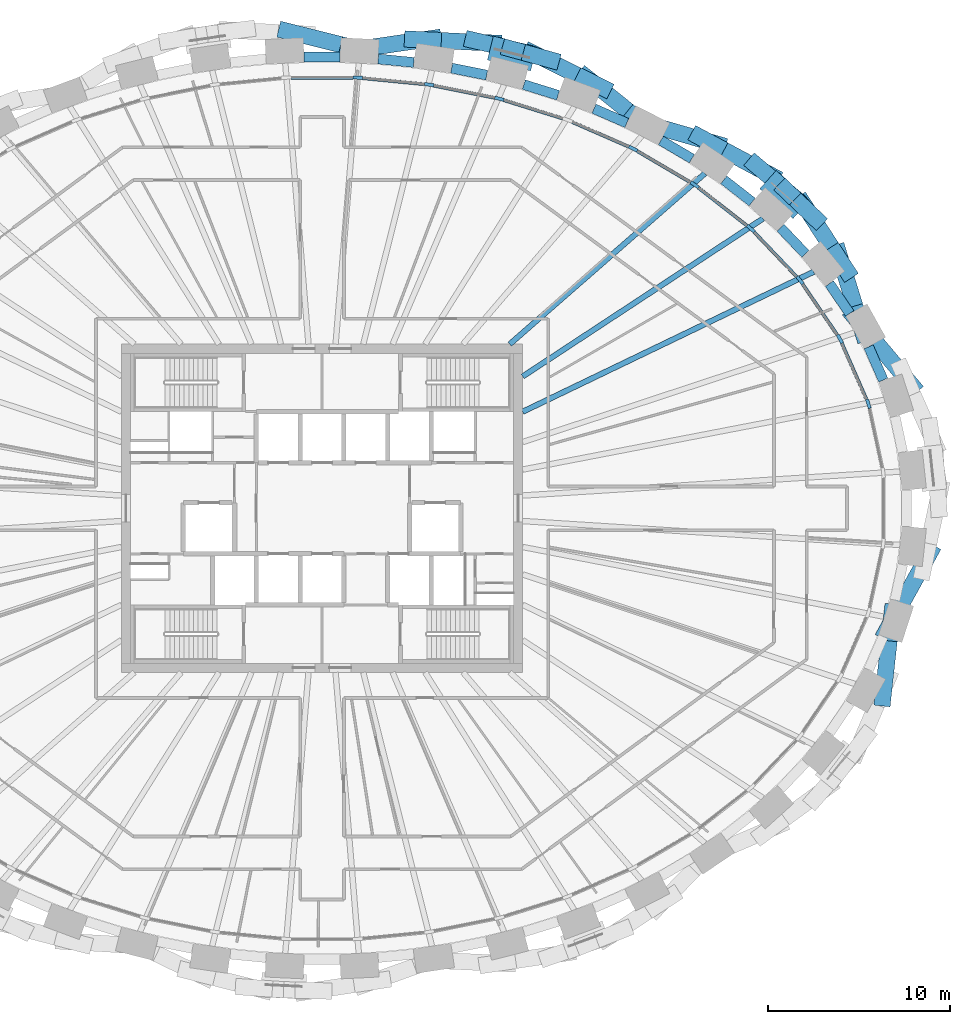
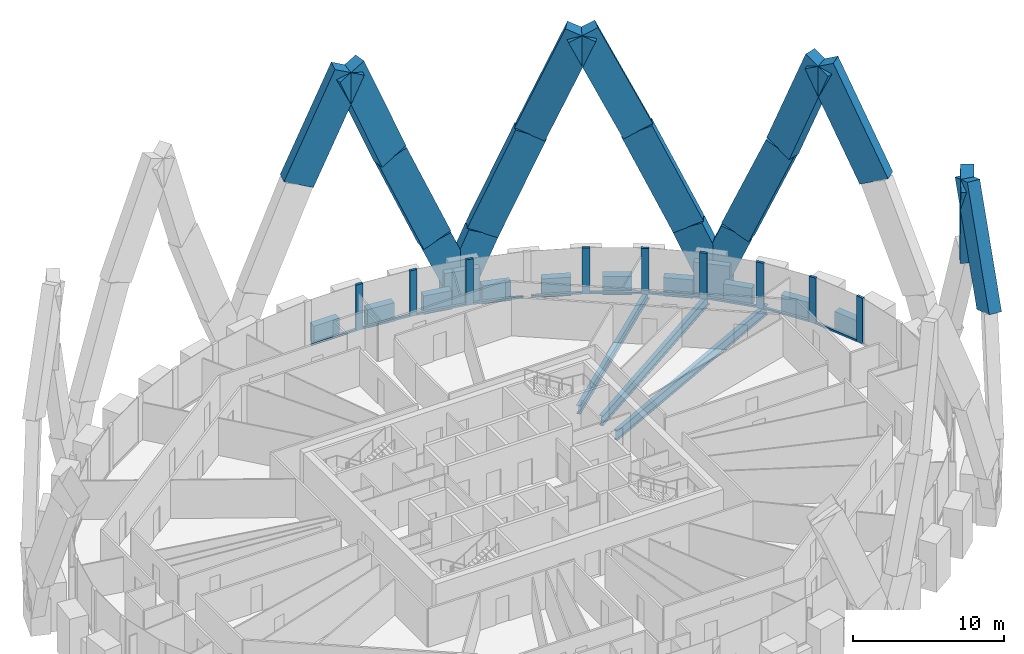
# One storey, part 5 of 15: 37 members, 13 beams, 1 element without a shape of its own.
"""IFC4 building model written with IfcOpenShell, lengths in metres."""

import ifcopenshell
import ifcopenshell.guid

model = None  # the IFC model being written
_history = None  # IfcOwnerHistory: only IFC2X3 demands one
_inside = {}  # id of a spatial element -> (the spatial element, [elements in it])
_under = {}  # id of a project, library or spatial element -> (it, [spatial elements below it])
_declared = {}  # id of a project -> (the project, [libraries it declares])
_typed = {}  # id of a type object -> (the type object, [elements of that type])
_made_of = {}  # id of a material, layer set ... -> (it, [elements and type objects made of it])


def new_model(schema):
    """Start an empty IFC model of exactly this schema.

    Asked for "IFC4X3", IfcOpenShell would pick the latest addendum, in which some entities
    have other attributes; the version numbers below select the first issue.
    IFC2X3 requires an IfcOwnerHistory on every rooted entity: one is made here for all.
    """
    global model, _history
    if schema == "IFC4X3":
        model = ifcopenshell.file(schema_version=(4, 3, 0, 0))
    else:
        model = ifcopenshell.file(schema=schema)
    _inside.clear()
    _under.clear()
    _declared.clear()
    _typed.clear()
    _made_of.clear()
    _history = None
    if model.schema == "IFC2X3":
        org = make("IfcOrganization", Name="unknown")
        user = make(
            "IfcPersonAndOrganization",
            ThePerson=make("IfcPerson", FamilyName="unknown"),
            TheOrganization=org,
        )
        app = make(
            "IfcApplication",
            ApplicationDeveloper=org,
            Version="unknown",
            ApplicationFullName="unknown",
            ApplicationIdentifier="unknown",
        )
        _history = make(
            "IfcOwnerHistory",
            OwningUser=user,
            OwningApplication=app,
            ChangeAction="ADDED",
            CreationDate=0,
        )
    return model


def make(cls, **values):
    """One entity of the class cls with the attributes given. An attribute that is None is left unset."""
    return model.create_entity(
        cls, **{name: value for name, value in values.items() if value is not None}
    )


def rooted(cls, **values):
    """An entity with a GlobalId (a new one), such as an element, a storey or a relation."""
    return make(cls, GlobalId=ifcopenshell.guid.new(), OwnerHistory=_history, **values)


def si_unit(unit_type, name, prefix=None):
    """IfcSIUnit, for example si_unit("LENGTHUNIT", "METRE", prefix="MILLI")."""
    return make("IfcSIUnit", UnitType=unit_type, Prefix=prefix, Name=name)


def assignment(units):
    """IfcUnitAssignment: the units of a project."""
    return None if units is None else make("IfcUnitAssignment", Units=units)


def point(xyz):
    """IfcCartesianPoint."""
    return None if xyz is None else make("IfcCartesianPoint", Coordinates=xyz)


def direction(xyz):
    """IfcDirection."""
    return None if xyz is None else make("IfcDirection", DirectionRatios=xyz)


def frame(location, z_axis=None, x_axis=None):
    """IfcAxis2Placement3D, a coordinate frame: its origin and axes. An axis left out is left unset."""
    return make(
        "IfcAxis2Placement3D",
        Location=point(location),
        Axis=direction(z_axis),
        RefDirection=direction(x_axis),
    )


def frame_2d(location, x_axis=None):
    """IfcAxis2Placement2D, a coordinate frame in the plane: its origin and x axis."""
    return make(
        "IfcAxis2Placement2D", Location=point(location), RefDirection=direction(x_axis)
    )


def origin():
    """The frame at (0, 0, 0) with its axes left unset."""
    return frame((0.0, 0.0, 0.0))


def origin_2d():
    """The frame at (0, 0) in the plane with its x axis left unset."""
    return frame_2d((0.0, 0.0))


def place(relative_to, where):
    """IfcLocalPlacement: puts the frame where relative to a parent placement (None: the world)."""
    return make(
        "IfcLocalPlacement", PlacementRelTo=relative_to, RelativePlacement=where
    )


def context(
    kind, dimensions, precision=None, world=None, true_north=None, identifier=None
):
    """IfcGeometricRepresentationContext, for example the 3D "Model" context."""
    return make(
        "IfcGeometricRepresentationContext",
        ContextIdentifier=identifier,
        ContextType=kind,
        CoordinateSpaceDimension=dimensions,
        Precision=precision,
        WorldCoordinateSystem=world,
        TrueNorth=true_north,
    )


def subcontext(parent, identifier, kind, view, scale=None):
    """IfcGeometricRepresentationSubContext, for example "Body" below "Model"."""
    return make(
        "IfcGeometricRepresentationSubContext",
        ContextIdentifier=identifier,
        ContextType=kind,
        ParentContext=parent,
        TargetScale=scale,
        TargetView=view,
    )


def project(units=None, contexts=None):
    """IfcProject with its units and contexts."""
    return rooted(
        "IfcProject",
        Name="project",
        RepresentationContexts=contexts,
        UnitsInContext=assignment(units),
    )


def spatial(cls, under=None, at=None, **own):
    """A site, building, storey or space (cls), placed at a placement, below another one or the project."""
    s = rooted(cls, ObjectPlacement=at, **own)
    if under is not None:
        _under.setdefault(under.id(), (under, []))[1].append(s)
    return s


def profile(cls, at=None, kind="AREA", **sizes):
    """A parametric profile (cls). Its sizes go by their IFC names, for example OverallWidth=200.0."""
    return make(cls, ProfileType=kind, Position=at, **sizes)


def rectangle(**sizes):
    """IfcRectangleProfileDef."""
    return profile("IfcRectangleProfileDef", **sizes)


def i_section(**sizes):
    """IfcIShapeProfileDef."""
    return profile("IfcIShapeProfileDef", **sizes)


def extrude(swept, where, along, depth):
    """IfcExtrudedAreaSolid: the profile swept, set in the frame where, extruded along a direction by depth."""
    return make(
        "IfcExtrudedAreaSolid",
        SweptArea=swept,
        Position=where,
        ExtrudedDirection=direction(along),
        Depth=depth,
    )


def shape(context_of_items, identifier, shape_type, items):
    """IfcShapeRepresentation: the items that make up one representation, for example the "Body"."""
    return make(
        "IfcShapeRepresentation",
        ContextOfItems=context_of_items,
        RepresentationIdentifier=identifier,
        RepresentationType=shape_type,
        Items=items,
    )


def source(mapping_origin, context_of_items, identifier, shape_type, items):
    """IfcRepresentationMap: a shape defined once, which mapped items show again and again."""
    return make(
        "IfcRepresentationMap",
        MappingOrigin=mapping_origin,
        MappedRepresentation=shape(context_of_items, identifier, shape_type, items),
    )


def transform(
    local_origin,
    x_axis=None,
    y_axis=None,
    z_axis=None,
    scale=None,
    scale2=None,
    scale3=None,
    uniform=True,
):
    """IfcCartesianTransformationOperator3D, or its non-uniform kind. x_axis, y_axis, z_axis: its Axis1, 2, 3."""
    if uniform:
        return make(
            "IfcCartesianTransformationOperator3D",
            Axis1=direction(x_axis),
            Axis2=direction(y_axis),
            LocalOrigin=point(local_origin),
            Scale=scale,
            Axis3=direction(z_axis),
        )
    return make(
        "IfcCartesianTransformationOperator3DnonUniform",
        Axis1=direction(x_axis),
        Axis2=direction(y_axis),
        LocalOrigin=point(local_origin),
        Scale=scale,
        Axis3=direction(z_axis),
        Scale2=scale2,
        Scale3=scale3,
    )


def mapped(mapping_source, mapping_target):
    """IfcMappedItem: shows the shape of a source again, moved by a transform."""
    return make(
        "IfcMappedItem", MappingSource=mapping_source, MappingTarget=mapping_target
    )


def material(Name=None, Category=None):
    """IfcMaterial."""
    return make("IfcMaterial", Name=Name, Category=Category)


def material_profile(
    of_material, cross_section, Name=None, Category=None, Priority=None
):
    """IfcMaterialProfile: a cross section and its material."""
    return make(
        "IfcMaterialProfile",
        Name=Name,
        Material=of_material,
        Profile=cross_section,
        Priority=Priority,
        Category=Category,
    )


def profile_set(profiles, Name=None, composite=None):
    """IfcMaterialProfileSet."""
    return make(
        "IfcMaterialProfileSet",
        Name=Name,
        MaterialProfiles=profiles,
        CompositeProfile=composite,
    )


def made_of(thing, what):
    """Note that an element or type object is made of a material, layer set ...; save() writes the relation."""
    if what is not None:
        _made_of.setdefault(what.id(), (what, []))[1].append(thing)
    return thing


def type_object(cls, material=None, **own):
    """A type object (cls), such as IfcWallType, which elements share."""
    return made_of(rooted(cls, **own), material)


def element(
    cls,
    number,
    at=None,
    inside=None,
    cuts=None,
    type_object=None,
    material=None,
    context=None,
    identifier="Body",
    shape_type=None,
    held_by="IfcProductDefinitionShape",
    body=None,
    shapes=None,
    **own,
):
    """One element of the class cls, such as IfcWall. Its Tag is "e" and its number.

    at: its placement. inside: the storey or other place that contains it. cuts: it is an
    opening in that element (IfcRelVoidsElement). A single representation is given by context,
    identifier, shape_type and body (its items); several are given by shapes. held_by: the class
    of the entity that holds the representations. save() writes the other relations.
    """
    e = rooted(cls, Tag="e%d" % number, ObjectPlacement=at, **own)
    if body is not None:
        shapes = [shape(context, identifier, shape_type, body)]
    if shapes is not None:
        e.Representation = make(held_by, Representations=shapes)
    if inside is not None:
        _inside.setdefault(inside.id(), (inside, []))[1].append(e)
    if cuts is not None:
        rooted(
            "IfcRelVoidsElement", RelatingBuildingElement=cuts, RelatedOpeningElement=e
        )
    if type_object is not None:
        _typed.setdefault(type_object.id(), (type_object, []))[1].append(e)
    return made_of(e, material)


def aggregate(whole, parts):
    """IfcRelAggregates: a whole, such as a stair, and the parts it consists of."""
    return rooted("IfcRelAggregates", RelatingObject=whole, RelatedObjects=parts)


def save(model, path):
    """Write the relations noted so far, then the file.

    IfcRelAggregates (storeys below a building ...), IfcRelContainedInSpatialStructure (elements
    in a storey), IfcRelDefinesByType, IfcRelAssociatesMaterial and IfcRelDeclares: one each for
    every whole, place, type object, material and project.
    """
    for whole, parts in _under.values():
        aggregate(whole, parts)
    for where, things in _inside.values():
        rooted(
            "IfcRelContainedInSpatialStructure",
            RelatedElements=things,
            RelatingStructure=where,
        )
    for kind, things in _typed.values():
        rooted("IfcRelDefinesByType", RelatedObjects=things, RelatingType=kind)
    for what, things in _made_of.values():
        rooted("IfcRelAssociatesMaterial", RelatedObjects=things, RelatingMaterial=what)
    for by, libraries in _declared.values():
        rooted("IfcRelDeclares", RelatingContext=by, RelatedDefinitions=libraries)
    model.write(path)


model = new_model("IFC4")

# Units and contexts
model_context = context("Model", 3, precision=1e-05, world=origin(), true_north=direction((0.0, 1.0)))
body_context = subcontext(model_context, "Body", "Model", "MODEL_VIEW")
ifc_project = project(units=[si_unit("LENGTHUNIT", "METRE"), si_unit("AREAUNIT", "SQUARE_METRE"), si_unit("VOLUMEUNIT", "CUBIC_METRE"), si_unit("PLANEANGLEUNIT", "RADIAN"), si_unit("MASSUNIT", "GRAM", prefix="KILO")], contexts=[model_context])

# Site, building, storey
site_placement = place(None, origin())
site = spatial("IfcSite", under=ifc_project, at=site_placement, CompositionType="ELEMENT")
building_placement = place(site_placement, origin())
building = spatial("IfcBuilding", under=site, at=building_placement, Name="Embergate Tower", CompositionType="ELEMENT")
storey_placement = place(building_placement, frame((0.0, 0.0, 277.300048828125)))
storey = spatial("IfcBuildingStorey", under=building, at=storey_placement, Name="L64", CompositionType="ELEMENT", Elevation=277.300048828125)

# Beams
ifc_material_1 = material(Name="Concrete C60", Category="concrete")
ifc_material_profile_1 = material_profile(ifc_material_1, rectangle(XDim=0.550048828125, YDim=1.5, at=origin_2d()), Name="RC 550x1500")
ifc_profile_set_1 = profile_set([ifc_material_profile_1], Name="Concrete C60")
beam_type_1 = type_object("IfcBeamType", Name="Spandrel beam RC 550x1500 C60", PredefinedType="BEAM", material=ifc_profile_set_1)
shared_shape_1 = source(origin(), body_context, "Body", "SweptSolid", [
    extrude(rectangle(XDim=0.550048828125, YDim=1.5, at=origin_2d()), origin(), (0.0, 0.0, 1.0), 1.989990234375),
])
beam_1_placement = place(storey_placement, frame((30.777099609375, 7.032958984375, 0.0), z_axis=(-0.402047764255, 0.915618695341, 0.0), x_axis=(-0.915618695341, -0.402047764255, 0.0)))
element("IfcBeam", 1, at=beam_1_placement, inside=storey, type_object=beam_type_1, Name="SPN-L64-01", PredefinedType="BEAM", context=body_context, shape_type="MappedRepresentation", body=[
    mapped(shared_shape_1, transform((0.0, 0.0, 0.0))),
])
shared_shape_2 = source(origin(), body_context, "Body", "SweptSolid", [
    extrude(rectangle(XDim=0.550048828125, YDim=1.5, at=origin_2d()), origin(), (0.0, 0.0, 1.0), 1.982421875),
])
beam_2_placement = place(storey_placement, frame((28.943115234375, 10.68310546875, 0.0), z_axis=(-0.56257611142, 0.82674549824, 0.0), x_axis=(-0.82674549824, -0.56257611142, 0.0)))
element("IfcBeam", 2, at=beam_2_placement, inside=storey, type_object=beam_type_1, Name="SPN-L64-02", PredefinedType="BEAM", context=body_context, shape_type="MappedRepresentation", body=[
    mapped(shared_shape_2, transform((0.0, 0.0, 0.0))),
])
shared_shape_3 = source(origin(), body_context, "Body", "SweptSolid", [
    extrude(rectangle(XDim=0.550048828125, YDim=1.5, at=origin_2d()), origin(), (0.0, 0.0, 1.0), 1.97900390625),
])
beam_3_placement = place(storey_placement, frame((26.509033203125, 13.9560546875, 0.0), z_axis=(-0.690255649164, 0.723565573253, 0.0), x_axis=(-0.723565573253, -0.690255649164, 0.0)))
element("IfcBeam", 3, at=beam_3_placement, inside=storey, type_object=beam_type_1, Name="SPN-L64-03", PredefinedType="BEAM", context=body_context, shape_type="MappedRepresentation", body=[
    mapped(shared_shape_3, transform((0.0, 0.0, 0.0))),
])
shared_shape_4 = source(origin(), body_context, "Body", "SweptSolid", [
    extrude(rectangle(XDim=0.550048828125, YDim=1.5, at=origin_2d()), origin(), (0.0, 0.0, 1.0), 1.974853515625),
])
beam_4_placement = place(storey_placement, frame((23.5869140625, 16.797119140625, 0.0), z_axis=(-0.788385979859, 0.61518090572, 0.0), x_axis=(-0.61518090572, -0.788385979859, 0.0)))
element("IfcBeam", 4, at=beam_4_placement, inside=storey, type_object=beam_type_1, Name="SPN-L64-04", PredefinedType="BEAM", context=body_context, shape_type="MappedRepresentation", body=[
    mapped(shared_shape_4, transform((0.0, 0.0, 0.0))),
])
shared_shape_5 = source(origin(), body_context, "Body", "SweptSolid", [
    extrude(rectangle(XDim=0.550048828125, YDim=1.5, at=origin_2d()), origin(), (0.0, 0.0, 1.0), 1.969482421875),
])
beam_5_placement = place(storey_placement, frame((20.281982421875, 19.176025390625, 0.0), z_axis=(-0.862106236571, 0.506727576578, 0.0), x_axis=(-0.506727576578, -0.862106236571, 0.0)))
element("IfcBeam", 5, at=beam_5_placement, inside=storey, type_object=beam_type_1, Name="SPN-L64-05", PredefinedType="BEAM", context=body_context, shape_type="MappedRepresentation", body=[
    mapped(shared_shape_5, transform((0.0, 0.0, 0.0))),
])
shared_shape_6 = source(origin(), body_context, "Body", "SweptSolid", [
    extrude(rectangle(XDim=0.550048828125, YDim=1.5, at=origin_2d()), origin(), (0.0, 0.0, 1.0), 1.96630859375),
])
beam_6_placement = place(storey_placement, frame((16.714111328125, 21.12890625, 0.0), z_axis=(-0.916393681964, 0.400278177842, 0.0), x_axis=(-0.400278177842, -0.916393681964, 0.0)))
element("IfcBeam", 6, at=beam_6_placement, inside=storey, type_object=beam_type_1, Name="SPN-L64-06", PredefinedType="BEAM", context=body_context, shape_type="MappedRepresentation", body=[
    mapped(shared_shape_6, transform((0.0, 0.0, 0.0))),
])
shared_shape_7 = source(origin(), body_context, "Body", "SweptSolid", [
    extrude(rectangle(XDim=0.550048828125, YDim=1.5, at=origin_2d()), origin(), (0.0, 0.0, 1.0), 1.96484375),
])
beam_7_placement = place(storey_placement, frame((12.945068359375, 22.65087890625, 0.0), z_axis=(-0.954771364399, 0.297340951979, 0.0), x_axis=(-0.297340951979, -0.954771364399, 0.0)))
element("IfcBeam", 7, at=beam_7_placement, inside=storey, type_object=beam_type_1, Name="SPN-L64-07", PredefinedType="BEAM", context=body_context, shape_type="MappedRepresentation", body=[
    mapped(shared_shape_7, transform((0.0, 0.0, 0.0))),
])
shared_shape_8 = source(origin(), body_context, "Body", "SweptSolid", [
    extrude(rectangle(XDim=0.550048828125, YDim=1.5, at=origin_2d()), origin(), (0.0, 0.0, 1.0), 1.963134765625),
])
beam_8_placement = place(storey_placement, frame((9.033935546875, 23.7548828125, 0.0), z_axis=(-0.980580675691, 0.196116135138, 0.0), x_axis=(-0.196116135138, -0.980580675691, 0.0)))
element("IfcBeam", 8, at=beam_8_placement, inside=storey, type_object=beam_type_1, Name="SPN-L64-08", PredefinedType="BEAM", context=body_context, shape_type="MappedRepresentation", body=[
    mapped(shared_shape_8, transform((0.0, 0.0, 0.0))),
])
shared_shape_9 = source(origin(), body_context, "Body", "SweptSolid", [
    extrude(rectangle(XDim=0.550048828125, YDim=1.5, at=origin_2d()), origin(), (0.0, 0.0, 1.0), 1.96240234375),
])
beam_9_placement = place(storey_placement, frame((5.031982421875, 24.449951171875, 0.0), z_axis=(-0.99519482752, 0.097914530474, 0.0), x_axis=(-0.097914530474, -0.99519482752, 0.0)))
element("IfcBeam", 9, at=beam_9_placement, inside=storey, type_object=beam_type_1, Name="SPN-L64-09", PredefinedType="BEAM", context=body_context, shape_type="MappedRepresentation", body=[
    mapped(shared_shape_9, transform((0.0, 0.0, 0.0))),
])
shared_shape_10 = source(origin(), body_context, "Body", "SweptSolid", [
    extrude(rectangle(XDim=0.550048828125, YDim=1.5, at=origin_2d()), origin(), (0.0, 0.0, 1.0), 1.9619140625),
])
beam_10_placement = place(storey_placement, frame((0.98095703125, 24.7451171875, 0.0), z_axis=(-1.0, 0.0, 0.0), x_axis=(0.0, -1.0, 0.0)))
element("IfcBeam", 10, at=beam_10_placement, inside=storey, type_object=beam_type_1, Name="SPN-L64-10", PredefinedType="BEAM", context=body_context, shape_type="MappedRepresentation", body=[
    mapped(shared_shape_10, transform((0.0, 0.0, 0.0))),
])
ifc_material_2 = material(Name="Steel Q355B", Category="steel")
ifc_material_profile_2 = material_profile(ifc_material_2, i_section(OverallWidth=0.300048828125, OverallDepth=0.800048828125, WebThickness=0.013916015625, FlangeThickness=0.02587890625, FilletRadius=0.028076171875, at=origin_2d()), Name="HN 800x300x14x26")
ifc_profile_set_2 = profile_set([ifc_material_profile_2], Name="Steel Q355 grade B")
beam_type_2 = type_object("IfcBeamType", Name="Radial girder HN 800x300x14x26", PredefinedType="BEAM", material=ifc_profile_set_2)
shared_shape_11 = source(origin(), body_context, "Body", "SweptSolid", [
    extrude(i_section(OverallWidth=0.300048828125, OverallDepth=0.800048828125, WebThickness=0.013916015625, FlangeThickness=0.02587890625, FilletRadius=0.028076171875, at=origin_2d()), origin(), (0.0, 0.0, 1.0), 17.70947265625),
])
beam_11_placement = place(storey_placement, frame((26.958984375, 12.968994140625, -0.60009765625), z_axis=(-0.901155084862, -0.433496843157, 0.0), x_axis=(0.433496843157, -0.901155084862, 0.0)))
element("IfcBeam", 11, at=beam_11_placement, inside=storey, type_object=beam_type_2, Name="GIR-L64-03", PredefinedType="BEAM", context=body_context, shape_type="MappedRepresentation", body=[
    mapped(shared_shape_11, transform((0.0, 0.0, 0.0))),
])
shared_shape_12 = source(origin(), body_context, "Body", "SweptSolid", [
    extrude(i_section(OverallWidth=0.300048828125, OverallDepth=0.800048828125, WebThickness=0.013916015625, FlangeThickness=0.02587890625, FilletRadius=0.028076171875, at=origin_2d()), origin(), (0.0, 0.0, 1.0), 15.767578125),
])
beam_12_placement = place(storey_placement, frame((24.177978515625, 15.885009765625, -0.60009765625), z_axis=(-0.835759482959, -0.549095698986, 0.0), x_axis=(0.549095698986, -0.835759482959, 0.0)))
element("IfcBeam", 12, at=beam_12_placement, inside=storey, type_object=beam_type_2, Name="GIR-L64-04", PredefinedType="BEAM", context=body_context, shape_type="MappedRepresentation", body=[
    mapped(shared_shape_12, transform((0.0, 0.0, 0.0))),
])
ifc_material_profile_3 = material_profile(ifc_material_2, i_section(OverallWidth=0.300048828125, OverallDepth=0.699951171875, WebThickness=0.012939453125, FlangeThickness=0.02392578125, FilletRadius=0.01806640625, at=origin_2d()), Name="HN 700x300x13x24")
ifc_profile_set_3 = profile_set([ifc_material_profile_3], Name="Steel Q355 grade B")
beam_type_3 = type_object("IfcBeamType", Name="Radial girder HN 700x300x13x24", PredefinedType="BEAM", material=ifc_profile_set_3)
shared_shape_13 = source(origin(), body_context, "Body", "SweptSolid", [
    extrude(i_section(OverallWidth=0.300048828125, OverallDepth=0.699951171875, WebThickness=0.012939453125, FlangeThickness=0.02392578125, FilletRadius=0.01806640625, at=origin_2d()), origin(), (0.0, 0.0, 1.0), 14.226318359375),
])
beam_13_placement = place(storey_placement, frame((21.0009765625, 18.364990234375, -0.550048828125), z_axis=(-0.752763768185, -0.658290748308, 0.0), x_axis=(0.658290748308, -0.752763768185, 0.0)))
element("IfcBeam", 13, at=beam_13_placement, inside=storey, type_object=beam_type_3, Name="GIR-L64-05", PredefinedType="BEAM", context=body_context, shape_type="MappedRepresentation", body=[
    mapped(shared_shape_13, transform((0.0, 0.0, 0.0))),
])

# Members
ifc_material_3 = material(Name="Concrete C70", Category="concrete")
ifc_material_profile_4 = material_profile(ifc_material_3, rectangle(XDim=1.35009765625, YDim=2.449951171875, at=origin_2d()), Name="RC 1350x2450")
ifc_profile_set_4 = profile_set([ifc_material_profile_4], Name="Concrete C70")
member_type_1 = type_object("IfcMemberType", Name="Lattice node block RC 1350x2450", PredefinedType="POST", material=ifc_profile_set_4)
shared_shape_14 = source(origin(), body_context, "Body", "SweptSolid", [
    extrude(rectangle(XDim=1.35009765625, YDim=2.449951171875, at=origin_2d()), origin(), (0.0, 0.0, 1.0), 2.85009765625),
])
for number, where, z_axis, x_axis, name in (
    (14, (25.365966796875, 17.2041015625, -1.425048828125), (0.0, 0.0, 1.0), (0.669208424634, 0.74307475021, 0.0), "NOD-L64-04"),
    (15, (10.419921875, 24.943115234375, -1.425048828125), (0.0, 0.0, 1.0), (0.246491603437, 0.969144926951, 0.0), "NOD-L64-08"),
):
    element("IfcMember", number, at=place(storey_placement, frame(where, z_axis=z_axis, x_axis=x_axis)), inside=storey, type_object=member_type_1, Name=name, PredefinedType="POST", context=body_context, shape_type="MappedRepresentation", body=[
        mapped(shared_shape_14, transform((0.0, 0.0, 0.0))),
    ])
ifc_material_profile_5 = material_profile(ifc_material_3, rectangle(XDim=0.89990234375, YDim=2.199951171875, at=origin_2d()), Name="RC 900x2200")
ifc_profile_set_5 = profile_set([ifc_material_profile_5], Name="Concrete C70")
member_type_2 = type_object("IfcMemberType", Name="Lattice diagonal terracotta-faced RC 900x2200", PredefinedType="BRACE", material=ifc_profile_set_5)
shared_shape_15 = source(origin(), body_context, "Body", "SweptSolid", [
    extrude(rectangle(XDim=0.89990234375, YDim=2.199951171875, at=origin_2d()), origin(), (0.0, 0.0, 1.0), 9.24462890625),
])
member_1_placement = place(storey_placement, frame((31.99609375, 7.160888671875, 11.699951171875), z_axis=(-0.267838406866, 0.320418397802, 0.908622384799), x_axis=(-0.767251114919, -0.64134680685, 0.0)))
element("IfcMember", 16, at=member_1_placement, inside=storey, type_object=member_type_2, Name="BRC-L64-00-02-S02", PredefinedType="BRACE", context=body_context, shape_type="MappedRepresentation", body=[
    mapped(shared_shape_15, transform((0.0, 0.0, 0.0))),
])
shared_shape_16 = source(origin(), body_context, "Body", "SweptSolid", [
    extrude(rectangle(XDim=0.89990234375, YDim=2.199951171875, at=origin_2d()), origin(), (0.0, 0.0, 1.0), 9.23193359375),
])
member_2_placement = place(storey_placement, frame((33.06494140625, -2.916015625, 11.699951171875), z_axis=(-0.200930385963, -0.362986375062, 0.909872447938), x_axis=(0.874901889166, -0.484300200633, 0.0)))
element("IfcMember", 17, at=member_2_placement, inside=storey, type_object=member_type_2, Name="BRC-L64-00-42-S02", PredefinedType="BRACE", context=body_context, shape_type="MappedRepresentation", body=[
    mapped(shared_shape_16, transform((0.0, 0.0, 0.0))),
])
shared_shape_17 = source(origin(), body_context, "Body", "SweptSolid", [
    extrude(rectangle(XDim=0.89990234375, YDim=2.199951171875, at=origin_2d()), origin(), (0.0, 0.0, 1.0), 4.22119140625),
])
member_3_placement = place(storey_placement, frame((25.51611328125, 17.3720703125, 0.0), z_axis=(0.276689289108, -0.264370138067, 0.923878491682), x_axis=(0.690827926721, 0.723019208364, 0.0)))
element("IfcMember", 18, at=member_3_placement, inside=storey, type_object=member_type_2, Name="BRC-L64-04-02-S00", PredefinedType="BRACE", context=body_context, shape_type="MappedRepresentation", body=[
    mapped(shared_shape_17, transform((0.0, 0.0, 0.0))),
])
shared_shape_18 = source(origin(), body_context, "Body", "SweptSolid", [
    extrude(rectangle(XDim=0.89990234375, YDim=2.199951171875, at=origin_2d()), origin(), (0.0, 0.0, 1.0), 8.471923828125),
])
member_4_placement = place(storey_placement, frame((26.68408203125, 16.256103515625, 3.89990234375), z_axis=(0.212585219925, -0.32733570735, 0.920683908279), x_axis=(0.838657781128, 0.544658724481, 0.0)))
element("IfcMember", 19, at=member_4_placement, inside=storey, type_object=member_type_2, Name="BRC-L64-04-02-S01", PredefinedType="BRACE", context=body_context, shape_type="MappedRepresentation", body=[
    mapped(shared_shape_18, transform((0.0, 0.0, 0.0))),
])
shared_shape_19 = source(origin(), body_context, "Body", "SweptSolid", [
    extrude(rectangle(XDim=0.89990234375, YDim=2.199951171875, at=origin_2d()), origin(), (0.0, 0.0, 1.0), 9.10595703125),
])
member_5_placement = place(storey_placement, frame((28.485107421875, 13.48291015625, 11.699951171875), z_axis=(0.113652459937, -0.36897503035, 0.922464387024), x_axis=(0.955690377146, 0.294373747182, 0.0)))
element("IfcMember", 20, at=member_5_placement, inside=storey, type_object=member_type_2, Name="BRC-L64-04-02-S02", PredefinedType="BRACE", context=body_context, shape_type="MappedRepresentation", body=[
    mapped(shared_shape_19, transform((0.0, 0.0, 0.0))),
])
shared_shape_20 = source(origin(), body_context, "Body", "SweptSolid", [
    extrude(rectangle(XDim=0.89990234375, YDim=2.199951171875, at=origin_2d()), origin(), (0.0, 0.0, 1.0), 4.27392578125),
])
member_6_placement = place(storey_placement, frame((25.51611328125, 17.3720703125, 0.0), z_axis=(-0.312407186406, 0.264138019737, 0.912487181505), x_axis=(-0.645648008043, -0.763635154842, 0.0)))
element("IfcMember", 21, at=member_6_placement, inside=storey, type_object=member_type_2, Name="BRC-L64-04-06-S00", PredefinedType="BRACE", context=body_context, shape_type="MappedRepresentation", body=[
    mapped(shared_shape_20, transform((0.0, 0.0, 0.0))),
])
shared_shape_21 = source(origin(), body_context, "Body", "SweptSolid", [
    extrude(rectangle(XDim=0.89990234375, YDim=2.199951171875, at=origin_2d()), origin(), (0.0, 0.0, 1.0), 8.52001953125),
])
member_7_placement = place(storey_placement, frame((24.180908203125, 18.5009765625, 3.89990234375), z_axis=(-0.35446525601, 0.190270759895, 0.915506100586), x_axis=(-0.472952587948, -0.881087878451, 0.0)))
element("IfcMember", 22, at=member_7_placement, inside=storey, type_object=member_type_2, Name="BRC-L64-04-06-S01", PredefinedType="BRACE", context=body_context, shape_type="MappedRepresentation", body=[
    mapped(shared_shape_21, transform((0.0, 0.0, 0.0))),
])
shared_shape_22 = source(origin(), body_context, "Body", "SweptSolid", [
    extrude(rectangle(XDim=0.89990234375, YDim=2.199951171875, at=origin_2d()), origin(), (0.0, 0.0, 1.0), 9.196533203125),
])
member_8_placement = place(storey_placement, frame((21.160888671875, 20.1220703125, 11.699951171875), z_axis=(-0.391014133124, 0.113303572556, 0.913383954393), x_axis=(-0.278319325793, -0.960488601125, 0.0)))
element("IfcMember", 23, at=member_8_placement, inside=storey, type_object=member_type_2, Name="BRC-L64-04-06-S02", PredefinedType="BRACE", context=body_context, shape_type="MappedRepresentation", body=[
    mapped(shared_shape_22, transform((0.0, 0.0, 0.0))),
])
shared_shape_23 = source(origin(), body_context, "Body", "SweptSolid", [
    extrude(rectangle(XDim=0.89990234375, YDim=2.199951171875, at=origin_2d()), origin(), (0.0, 0.0, 1.0), 4.216064453125),
])
member_9_placement = place(storey_placement, frame((10.47509765625, 25.160888671875, 0.0), z_axis=(0.366203931793, -0.101279360643, 0.925006579137), x_axis=(0.26655894428, 0.963818618426, 0.0)))
element("IfcMember", 24, at=member_9_placement, inside=storey, type_object=member_type_2, Name="BRC-L64-08-06-S00", PredefinedType="BRACE", context=body_context, shape_type="MappedRepresentation", body=[
    mapped(shared_shape_23, transform((0.0, 0.0, 0.0))),
])
shared_shape_24 = source(origin(), body_context, "Body", "SweptSolid", [
    extrude(rectangle(XDim=0.89990234375, YDim=2.199951171875, at=origin_2d()), origin(), (0.0, 0.0, 1.0), 8.43896484375),
])
member_10_placement = place(storey_placement, frame((12.01904296875, 24.73388671875, 3.89990234375), z_axis=(0.341980932197, -0.169558433602, 0.924282954299), x_axis=(0.444209762814, 0.89592281287, 0.0)))
element("IfcMember", 25, at=member_10_placement, inside=storey, type_object=member_type_2, Name="BRC-L64-08-06-S01", PredefinedType="BRACE", context=body_context, shape_type="MappedRepresentation", body=[
    mapped(shared_shape_24, transform((0.0, 0.0, 0.0))),
])
shared_shape_25 = source(origin(), body_context, "Body", "SweptSolid", [
    extrude(rectangle(XDim=0.89990234375, YDim=2.199951171875, at=origin_2d()), origin(), (0.0, 0.0, 1.0), 9.06689453125),
])
member_11_placement = place(storey_placement, frame((14.905029296875, 23.302978515625, 11.699951171875), z_axis=(0.293365505526, -0.235904102241, 0.926437226537), x_axis=(0.626655729516, 0.779296218819, 0.0)))
element("IfcMember", 26, at=member_11_placement, inside=storey, type_object=member_type_2, Name="BRC-L64-08-06-S02", PredefinedType="BRACE", context=body_context, shape_type="MappedRepresentation", body=[
    mapped(shared_shape_25, transform((0.0, 0.0, 0.0))),
])
shared_shape_26 = source(origin(), body_context, "Body", "SweptSolid", [
    extrude(rectangle(XDim=0.89990234375, YDim=2.199951171875, at=origin_2d()), origin(), (0.0, 0.0, 1.0), 4.24853515625),
])
member_12_placement = place(storey_placement, frame((10.47509765625, 25.160888671875, 0.0), z_axis=(-0.386497809565, 0.089700130944, 0.917917931904), x_axis=(-0.226075719719, -0.974109731475, 0.0)))
element("IfcMember", 27, at=member_12_placement, inside=storey, type_object=member_type_2, Name="BRC-L64-08-10-S00", PredefinedType="BRACE", context=body_context, shape_type="MappedRepresentation", body=[
    mapped(shared_shape_26, transform((0.0, 0.0, 0.0))),
])
shared_shape_27 = source(origin(), body_context, "Body", "SweptSolid", [
    extrude(rectangle(XDim=0.89990234375, YDim=2.199951171875, at=origin_2d()), origin(), (0.0, 0.0, 1.0), 8.4716796875),
])
member_13_placement = place(storey_placement, frame((8.8330078125, 25.5419921875, 3.89990234375), z_axis=(-0.389774736225, 0.018069409214, 0.920732942525), x_axis=(-0.046308860268, -0.998927169247, 0.0)))
element("IfcMember", 28, at=member_13_placement, inside=storey, type_object=member_type_2, Name="BRC-L64-08-10-S01", PredefinedType="BRACE", context=body_context, shape_type="MappedRepresentation", body=[
    mapped(shared_shape_27, transform((0.0, 0.0, 0.0))),
])
shared_shape_28 = source(origin(), body_context, "Body", "SweptSolid", [
    extrude(rectangle(XDim=0.89990234375, YDim=2.199951171875, at=origin_2d()), origin(), (0.0, 0.0, 1.0), 9.120849609375),
])
member_14_placement = place(storey_placement, frame((5.531005859375, 25.695068359375, 11.699951171875), z_axis=(-0.385605860188, -0.056264300855, 0.920946496295), x_axis=(0.144382557659, -0.98952194369, 0.0)))
element("IfcMember", 29, at=member_14_placement, inside=storey, type_object=member_type_2, Name="BRC-L64-08-10-S02", PredefinedType="BRACE", context=body_context, shape_type="MappedRepresentation", body=[
    mapped(shared_shape_28, transform((0.0, 0.0, 0.0))),
])
shared_shape_29 = source(origin(), body_context, "Body", "SweptSolid", [
    extrude(rectangle(XDim=0.89990234375, YDim=2.199951171875, at=origin_2d()), origin(), (0.0, 0.0, 1.0), 9.105224609375),
])
member_15_placement = place(storey_placement, frame((-1.39501953125, 26.032958984375, 11.699951171875), z_axis=(0.37439693356, -0.093471869254, 0.922545362462), x_axis=(0.242224973442, 0.970220110202, 0.0)))
element("IfcMember", 30, at=member_15_placement, inside=storey, type_object=member_type_2, Name="BRC-L64-12-10-S02", PredefinedType="BRACE", context=body_context, shape_type="MappedRepresentation", body=[
    mapped(shared_shape_29, transform((0.0, 0.0, 0.0))),
])
shared_shape_30 = source(origin(), body_context, "Body", "SweptSolid", [
    extrude(rectangle(XDim=0.89990234375, YDim=2.199951171875, at=origin_2d()), origin(), (0.0, 0.0, 1.0), 9.1357421875),
])
member_16_placement = place(storey_placement, frame((30.819091796875, -9.837890625, 11.699951171875), z_axis=(0.042784614602, 0.390860570375, 0.919454996876), x_axis=(-0.994062276172, 0.108812642154, 0.0)))
element("IfcMember", 31, at=member_16_placement, inside=storey, type_object=member_type_2, Name="BRC-L64-40-42-S02", PredefinedType="BRACE", context=body_context, shape_type="MappedRepresentation", body=[
    mapped(shared_shape_30, transform((0.0, 0.0, 0.0))),
])

# Curtain wall, members
ifc_material_4 = material(Name="Aluminium and glass", Category="aluminium")
curtain_wall_type = type_object("IfcCurtainWallType", Name="Recessed office glazing", PredefinedType="NOTDEFINED", material=ifc_material_4)
curtain_wall_placement = place(storey_placement, origin())
curtain_wall = element("IfcCurtainWall", 32, at=curtain_wall_placement, inside=storey, type_object=curtain_wall_type, Name="Recessed office glazing ring", ObjectType="RECESSED OFFICE GLAZING", PredefinedType="USERDEFINED")
ifc_material_5 = material(Name="Aluminium, thermally broken", Category="aluminium")
ifc_material_profile_6 = material_profile(ifc_material_5, rectangle(XDim=0.179931640625, YDim=0.52001953125, at=origin_2d()), Name="AL 520x180")
ifc_profile_set_6 = profile_set([ifc_material_profile_6], Name="Aluminium, thermally broken")
member_type_3 = type_object("IfcMemberType", Name="Office mullion", PredefinedType="MULLION", material=ifc_profile_set_6)
shared_shape_31 = source(origin(), body_context, "Body", "SweptSolid", [
    extrude(rectangle(XDim=0.179931640625, YDim=0.52001953125, at=origin_2d()), origin(), (0.0, 0.0, 1.0), 3.699951171875),
])
member_17_placement = place(storey_placement, frame((29.962890625, 5.73046875, 0.0), z_axis=(0.0, 0.0, 1.0), x_axis=(-0.951492965233, -0.307670500881, 0.0)))
member_17 = element("IfcMember", 33, at=member_17_placement, type_object=member_type_3, Name="CW mullion 2", PredefinedType="MULLION", context=body_context, shape_type="MappedRepresentation", body=[
    mapped(shared_shape_31, transform((0.0, 0.0, 0.0))),
])
member_18_placement = place(storey_placement, frame((28.402099609375, 9.2890625, 0.0), z_axis=(0.0, 0.0, 1.0), x_axis=(-0.874992601244, -0.484136290489, 0.0)))
member_18 = element("IfcMember", 34, at=member_18_placement, type_object=member_type_3, Name="CW mullion 3", PredefinedType="MULLION", context=body_context, shape_type="MappedRepresentation", body=[
    mapped(shared_shape_31, transform((0.0, 0.0, 0.0))),
])
member_19_placement = place(storey_placement, frame((26.212158203125, 12.509521484375, 0.0), z_axis=(0.0, 0.0, 1.0), x_axis=(-0.777861596203, -0.628435626897, 0.0)))
member_19 = element("IfcMember", 35, at=member_19_placement, type_object=member_type_3, Name="CW mullion 4", PredefinedType="MULLION", context=body_context, shape_type="MappedRepresentation", body=[
    mapped(shared_shape_31, transform((0.0, 0.0, 0.0))),
])
member_20_placement = place(storey_placement, frame((23.5185546875, 15.333740234375, 0.0), z_axis=(0.0, 0.0, 1.0), x_axis=(-0.671216184057, -0.741261650337, 0.0)))
member_20 = element("IfcMember", 36, at=member_20_placement, type_object=member_type_3, Name="CW mullion 5", PredefinedType="MULLION", context=body_context, shape_type="MappedRepresentation", body=[
    mapped(shared_shape_31, transform((0.0, 0.0, 0.0))),
])
member_21_placement = place(storey_placement, frame((20.43603515625, 17.73974609375, 0.0), z_axis=(0.0, 0.0, 1.0), x_axis=(-0.562207514921, -0.82699619719, 0.0)))
member_21 = element("IfcMember", 37, at=member_21_placement, type_object=member_type_3, Name="CW mullion 6", PredefinedType="MULLION", context=body_context, shape_type="MappedRepresentation", body=[
    mapped(shared_shape_31, transform((0.0, 0.0, 0.0))),
])
member_22_placement = place(storey_placement, frame((17.06005859375, 19.724365234375, 0.0), z_axis=(0.0, 0.0, 1.0), x_axis=(-0.454503607328, -0.89074489666, 0.0)))
member_22 = element("IfcMember", 38, at=member_22_placement, type_object=member_type_3, Name="CW mullion 7", PredefinedType="MULLION", context=body_context, shape_type="MappedRepresentation", body=[
    mapped(shared_shape_31, transform((0.0, 0.0, 0.0))),
])
member_23_placement = place(storey_placement, frame((9.7216796875, 22.4619140625, 0.0), z_axis=(0.0, 0.0, 1.0), x_axis=(-0.247308499144, -0.96893679167, 0.0)))
member_23 = element("IfcMember", 39, at=member_23_placement, type_object=member_type_3, Name="CW mullion 9", PredefinedType="MULLION", context=body_context, shape_type="MappedRepresentation", body=[
    mapped(shared_shape_31, transform((0.0, 0.0, 0.0))),
])
member_24_placement = place(storey_placement, frame((5.872314453125, 23.23388671875, 0.0), z_axis=(0.0, 0.0, 1.0), x_axis=(-0.147408930294, -0.989075632735, 0.0)))
member_24 = element("IfcMember", 40, at=member_24_placement, type_object=member_type_3, Name="CW mullion 10", PredefinedType="MULLION", context=body_context, shape_type="MappedRepresentation", body=[
    mapped(shared_shape_31, transform((0.0, 0.0, 0.0))),
])
member_25_placement = place(storey_placement, frame((1.9638671875, 23.6181640625, 0.0), z_axis=(0.0, 0.0, 1.0), x_axis=(-0.048970053385, -0.998800247232, 0.0)))
member_25 = element("IfcMember", 41, at=member_25_placement, type_object=member_type_3, Name="CW mullion 11", PredefinedType="MULLION", context=body_context, shape_type="MappedRepresentation", body=[
    mapped(shared_shape_31, transform((0.0, 0.0, 0.0))),
])
ifc_material_profile_7 = material_profile(ifc_material_5, rectangle(XDim=0.179931640625, YDim=0.14990234375, at=origin_2d()), Name="AL 150x180")
ifc_profile_set_7 = profile_set([ifc_material_profile_7], Name="Aluminium, thermally broken")
member_type_4 = type_object("IfcMemberType", Name="Office sill transom", PredefinedType="USERDEFINED", material=ifc_profile_set_7)
shared_shape_32 = source(origin(), body_context, "Body", "SweptSolid", [
    extrude(rectangle(XDim=0.179931640625, YDim=0.14990234375, at=origin_2d()), origin(), (0.0, 0.0, 1.0), 3.365966796875),
])
member_26_placement = place(storey_placement, frame((29.8583984375, 5.968505859375, 0.074951171875), z_axis=(-0.401617738642, 0.91580739897, 0.0), x_axis=(-0.91580739897, -0.401617738642, 0.0)))
member_26 = element("IfcMember", 42, at=member_26_placement, type_object=member_type_4, Name="CW transom 2.1", ObjectType="TRANSOM", PredefinedType="USERDEFINED", context=body_context, shape_type="MappedRepresentation", body=[
    mapped(shared_shape_32, transform((0.0, 0.0, 0.0))),
])
shared_shape_33 = source(origin(), body_context, "Body", "SweptSolid", [
    extrude(rectangle(XDim=0.179931640625, YDim=0.14990234375, at=origin_2d()), origin(), (0.0, 0.0, 1.0), 3.37451171875),
])
member_27_placement = place(storey_placement, frame((28.256103515625, 9.504150390625, 0.074951171875), z_axis=(-0.562373345437, 0.826883438183, 0.0), x_axis=(-0.826883438183, -0.562373345437, 0.0)))
member_27 = element("IfcMember", 43, at=member_27_placement, type_object=member_type_4, Name="CW transom 3.1", ObjectType="TRANSOM", PredefinedType="USERDEFINED", context=body_context, shape_type="MappedRepresentation", body=[
    mapped(shared_shape_33, transform((0.0, 0.0, 0.0))),
])
shared_shape_34 = source(origin(), body_context, "Body", "SweptSolid", [
    extrude(rectangle(XDim=0.179931640625, YDim=0.14990234375, at=origin_2d()), origin(), (0.0, 0.0, 1.0), 3.383056640625),
])
member_28_placement = place(storey_placement, frame((26.03271484375, 12.697509765625, 0.074951171875), z_axis=(-0.690128955737, 0.723686413064, 0.0), x_axis=(-0.723686413064, -0.690128955737, 0.0)))
member_28 = element("IfcMember", 44, at=member_28_placement, type_object=member_type_4, Name="CW transom 4.1", ObjectType="TRANSOM", PredefinedType="USERDEFINED", context=body_context, shape_type="MappedRepresentation", body=[
    mapped(shared_shape_34, transform((0.0, 0.0, 0.0))),
])
shared_shape_35 = source(origin(), body_context, "Body", "SweptSolid", [
    extrude(rectangle(XDim=0.179931640625, YDim=0.14990234375, at=origin_2d()), origin(), (0.0, 0.0, 1.0), 3.39013671875),
])
member_29_placement = place(storey_placement, frame((23.313720703125, 15.493896484375, 0.074951171875), z_axis=(-0.788350711598, 0.61522610114, 0.0), x_axis=(-0.61522610114, -0.788350711598, 0.0)))
member_29 = element("IfcMember", 45, at=member_29_placement, type_object=member_type_4, Name="CW transom 5.1", ObjectType="TRANSOM", PredefinedType="USERDEFINED", context=body_context, shape_type="MappedRepresentation", body=[
    mapped(shared_shape_35, transform((0.0, 0.0, 0.0))),
])
shared_shape_36 = source(origin(), body_context, "Body", "SweptSolid", [
    extrude(rectangle(XDim=0.179931640625, YDim=0.14990234375, at=origin_2d()), origin(), (0.0, 0.0, 1.0), 3.396240234375),
])
member_30_placement = place(storey_placement, frame((20.2119140625, 17.87158203125, 0.074951171875), z_axis=(-0.86206354594, 0.50680020004, 0.0), x_axis=(-0.50680020004, -0.86206354594, 0.0)))
member_30 = element("IfcMember", 46, at=member_30_placement, type_object=member_type_4, Name="CW transom 6.1", ObjectType="TRANSOM", PredefinedType="USERDEFINED", context=body_context, shape_type="MappedRepresentation", body=[
    mapped(shared_shape_36, transform((0.0, 0.0, 0.0))),
])
shared_shape_37 = source(origin(), body_context, "Body", "SweptSolid", [
    extrude(rectangle(XDim=0.179931640625, YDim=0.14990234375, at=origin_2d()), origin(), (0.0, 0.0, 1.0), 3.400634765625),
])
member_31_placement = place(storey_placement, frame((16.822021484375, 19.82861328125, 0.074951171875), z_axis=(-0.916246290904, 0.400615444542, 0.0), x_axis=(-0.400615444542, -0.916246290904, 0.0)))
member_31 = element("IfcMember", 47, at=member_31_placement, type_object=member_type_4, Name="CW transom 7.1", ObjectType="TRANSOM", PredefinedType="USERDEFINED", context=body_context, shape_type="MappedRepresentation", body=[
    mapped(shared_shape_37, transform((0.0, 0.0, 0.0))),
])
shared_shape_38 = source(origin(), body_context, "Body", "SweptSolid", [
    extrude(rectangle(XDim=0.179931640625, YDim=0.14990234375, at=origin_2d()), origin(), (0.0, 0.0, 1.0), 3.40380859375),
])
member_32_placement = place(storey_placement, frame((13.2197265625, 21.37255859375, 0.074951171875), z_axis=(-0.954785768132, 0.297294697183, 0.0), x_axis=(-0.297294697183, -0.954785768132, 0.0)))
member_32 = element("IfcMember", 48, at=member_32_placement, type_object=member_type_4, Name="CW transom 8.1", ObjectType="TRANSOM", PredefinedType="USERDEFINED", context=body_context, shape_type="MappedRepresentation", body=[
    mapped(shared_shape_38, transform((0.0, 0.0, 0.0))),
])
shared_shape_39 = source(origin(), body_context, "Body", "SweptSolid", [
    extrude(rectangle(XDim=0.179931640625, YDim=0.14990234375, at=origin_2d()), origin(), (0.0, 0.0, 1.0), 3.406005859375),
])
member_33_placement = place(storey_placement, frame((9.466796875, 22.512939453125, 0.074951171875), z_axis=(-0.980481303877, 0.196612341292, 0.0), x_axis=(-0.196612341292, -0.980481303877, 0.0)))
member_33 = element("IfcMember", 49, at=member_33_placement, type_object=member_type_4, Name="CW transom 9.1", ObjectType="TRANSOM", PredefinedType="USERDEFINED", context=body_context, shape_type="MappedRepresentation", body=[
    mapped(shared_shape_39, transform((0.0, 0.0, 0.0))),
])
shared_shape_40 = source(origin(), body_context, "Body", "SweptSolid", [
    extrude(rectangle(XDim=0.179931640625, YDim=0.14990234375, at=origin_2d()), origin(), (0.0, 0.0, 1.0), 3.4072265625),
])
member_34_placement = place(storey_placement, frame((5.613525390625, 23.25927734375, 0.074951171875), z_axis=(-0.995205303523, 0.097807994766, 0.0), x_axis=(-0.097807994766, -0.995205303523, 0.0)))
member_34 = element("IfcMember", 50, at=member_34_placement, type_object=member_type_4, Name="CW transom 10.1", ObjectType="TRANSOM", PredefinedType="USERDEFINED", context=body_context, shape_type="MappedRepresentation", body=[
    mapped(shared_shape_40, transform((0.0, 0.0, 0.0))),
])
shared_shape_41 = source(origin(), body_context, "Body", "SweptSolid", [
    extrude(rectangle(XDim=0.179931640625, YDim=0.14990234375, at=origin_2d()), origin(), (0.0, 0.0, 1.0), 3.40771484375),
])
member_35_placement = place(storey_placement, frame((1.703857421875, 23.6181640625, 0.074951171875), z_axis=(-1.0, 0.0, 0.0), x_axis=(0.0, -1.0, 0.0)))
member_35 = element("IfcMember", 51, at=member_35_placement, type_object=member_type_4, Name="CW transom 11.1", ObjectType="TRANSOM", PredefinedType="USERDEFINED", context=body_context, shape_type="MappedRepresentation", body=[
    mapped(shared_shape_41, transform((0.0, 0.0, 0.0))),
])
aggregate(curtain_wall, [member_17, member_18, member_19, member_20, member_21, member_22, member_23, member_24, member_25, member_26, member_27, member_28, member_29, member_30, member_31, member_32, member_33, member_34, member_35])

save(model, "model.ifc")
